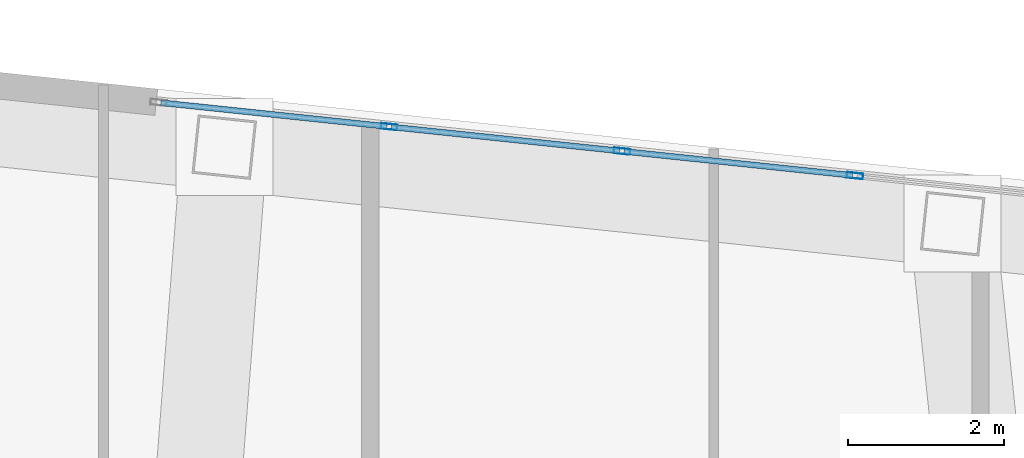
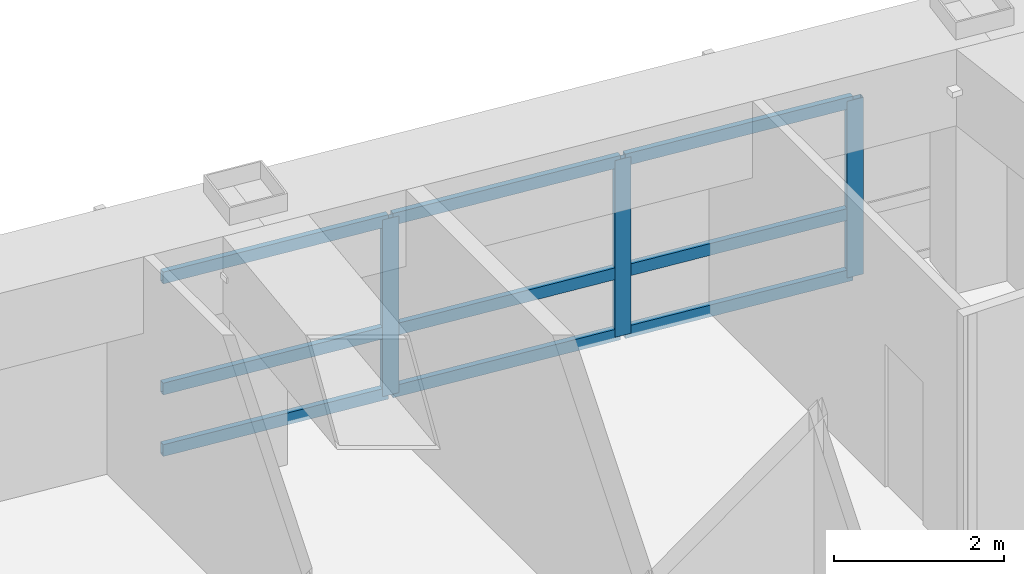
# One storey, part 5 of 16: 12 members, 1 element without a shape of its own.
"""IFC4 building model written with IfcOpenShell, lengths in metres."""

from ifc_helpers import new_model, si_unit, direction, frame, origin, origin_2d, place, context, subcontext, project, spatial, hollow_rectangle, extrude, material, layer, layer_set, material_profile, profile_set, type_object, element, aggregate, save


model = new_model("IFC4")

# Units and contexts
model_context = context("Model", 3, precision=1e-05, world=origin(), true_north=direction((0.0, 1.0)))
body_context = subcontext(model_context, "Body", "Model", "MODEL_VIEW")
ifc_project = project(units=[si_unit("LENGTHUNIT", "METRE"), si_unit("AREAUNIT", "SQUARE_METRE"), si_unit("VOLUMEUNIT", "CUBIC_METRE"), si_unit("PLANEANGLEUNIT", "RADIAN"), si_unit("MASSUNIT", "GRAM", prefix="KILO")], contexts=[model_context])

# Site, building, storey
site_placement = place(None, origin())
site = spatial("IfcSite", under=ifc_project, at=site_placement, CompositionType="ELEMENT")
building_placement = place(site_placement, origin())
building = spatial("IfcBuilding", under=site, at=building_placement, Name="Voryun Gate Residences", CompositionType="ELEMENT")
storey_placement = place(building_placement, frame((0.0, 0.0, 260.0)))
storey = spatial("IfcBuildingStorey", under=building, at=storey_placement, Name="L64", CompositionType="ELEMENT", Elevation=260.0)

# Curtain wall, members
ifc_material_1 = material(Name="Anodised aluminium", Category="aluminium")
ifc_layer = layer(ifc_material_1, 0.2099609375, Name="CW_SYS_SKYGARDEN_DARK_GLASS")
ifc_layer_set = layer_set([ifc_layer], Name="Anodised aluminium")
curtain_wall_type = type_object("IfcCurtainWallType", Name="CW_SYS_SKYGARDEN_DARK_GLASS", PredefinedType="NOTDEFINED", material=ifc_layer_set)
curtain_wall_placement = place(storey_placement, origin())
curtain_wall = element("IfcCurtainWall", 1, at=curtain_wall_placement, inside=storey, type_object=curtain_wall_type, Name="Curtain wall CW5-L64-SG-11", PredefinedType="NOTDEFINED")
ifc_material_2 = material(Name="Anodised aluminium", Category="aluminium")
ifc_material_profile_1 = material_profile(ifc_material_2, hollow_rectangle(XDim=0.074951171875, YDim=0.2099609375, WallThickness=0.0048828125, at=origin_2d()), Name="ALU-MULL-210x75x5")
ifc_profile_set_1 = profile_set([ifc_material_profile_1], Name="Anodised aluminium")
member_type_1 = type_object("IfcMemberType", Name="CW_MULL_SKY", PredefinedType="MULLION", material=ifc_profile_set_1)
member_1_placement = place(storey_placement, frame((-12.559326171875, 19.779541015625, 0.0), z_axis=(0.0, 0.0, 1.0), x_axis=(0.104532256285, 0.994521496699, 0.0)))
member_1 = element("IfcMember", 2, at=member_1_placement, type_object=member_type_1, Name="CW5 mullion 2", PredefinedType="MULLION", context=body_context, shape_type="SweptSolid", body=[
    extrude(hollow_rectangle(XDim=0.074951171875, YDim=0.2099609375, WallThickness=0.0048828125, at=origin_2d()), origin(), (0.0, 0.0, 1.0), 2.5400390625),
])
member_2_placement = place(storey_placement, frame((-9.58251953125, 19.466552734375, 0.0), z_axis=(0.0, 0.0, 1.0), x_axis=(0.104532256285, 0.994521496699, 0.0)))
member_2 = element("IfcMember", 3, at=member_2_placement, type_object=member_type_1, Name="CW5 mullion 3", PredefinedType="MULLION", context=body_context, shape_type="SweptSolid", body=[
    extrude(hollow_rectangle(XDim=0.074951171875, YDim=0.2099609375, WallThickness=0.0048828125, at=origin_2d()), origin(), (0.0, 0.0, 1.0), 2.5400390625),
])
member_3_placement = place(storey_placement, frame((-6.60595703125, 19.15380859375, 0.0), z_axis=(0.0, 0.0, 1.0), x_axis=(0.104532256285, 0.994521496699, 0.0)))
member_3 = element("IfcMember", 4, at=member_3_placement, type_object=member_type_1, Name="CW5 mullion 4", PredefinedType="MULLION", context=body_context, shape_type="SweptSolid", body=[
    extrude(hollow_rectangle(XDim=0.074951171875, YDim=0.2099609375, WallThickness=0.0048828125, at=origin_2d()), origin(), (0.0, 0.0, 1.0), 2.5400390625),
])
ifc_material_3 = material(Name="Anodised aluminium", Category="aluminium")
ifc_material_profile_2 = material_profile(ifc_material_3, hollow_rectangle(XDim=0.074951171875, YDim=0.169921875, WallThickness=0.0048828125, at=origin_2d()), Name="ALU-TRAN-170x75x5")
ifc_profile_set_2 = profile_set([ifc_material_profile_2], Name="Anodised aluminium")
member_type_2 = type_object("IfcMemberType", Name="CW_TRAN_SKY", PredefinedType="USERDEFINED", material=ifc_profile_set_2)
member_4_placement = place(storey_placement, frame((-15.476318359375, 20.0859375, 0.030029296875), z_axis=(0.994521569156, -0.104531566925, 0.0), x_axis=(0.104531566925, 0.994521569156, 0.0)))
member_4 = element("IfcMember", 5, at=member_4_placement, type_object=member_type_2, Name="CW5 transom 1.1", ObjectType="TRANSOM", PredefinedType="USERDEFINED", context=body_context, shape_type="SweptSolid", body=[
    extrude(hollow_rectangle(XDim=0.074951171875, YDim=0.169921875, WallThickness=0.0048828125, at=origin_2d()), origin(), (0.0, 0.0, 1.0), 2.903076171875),
])
member_5_placement = place(storey_placement, frame((-15.476318359375, 20.0859375, 0.914306640625), z_axis=(0.994521569156, -0.104531566925, 0.0), x_axis=(0.104531566925, 0.994521569156, 0.0)))
member_5 = element("IfcMember", 6, at=member_5_placement, type_object=member_type_2, Name="CW5 transom 1.2", ObjectType="TRANSOM", PredefinedType="USERDEFINED", context=body_context, shape_type="SweptSolid", body=[
    extrude(hollow_rectangle(XDim=0.074951171875, YDim=0.169921875, WallThickness=0.0048828125, at=origin_2d()), origin(), (0.0, 0.0, 1.0), 2.903076171875),
])
member_6_placement = place(storey_placement, frame((-15.476318359375, 20.0859375, 2.510009765625), z_axis=(0.994521569156, -0.104531566925, 0.0), x_axis=(0.104531566925, 0.994521569156, 0.0)))
member_6 = element("IfcMember", 7, at=member_6_placement, type_object=member_type_2, Name="CW5 transom 1.3", ObjectType="TRANSOM", PredefinedType="USERDEFINED", context=body_context, shape_type="SweptSolid", body=[
    extrude(hollow_rectangle(XDim=0.074951171875, YDim=0.169921875, WallThickness=0.0048828125, at=origin_2d()), origin(), (0.0, 0.0, 1.0), 2.903076171875),
])
member_7_placement = place(storey_placement, frame((-12.529296875, 19.7763671875, 0.030029296875), z_axis=(0.994519128412, -0.104554785744, 0.0), x_axis=(0.104554785744, 0.994519128412, 0.0)))
member_7 = element("IfcMember", 8, at=member_7_placement, type_object=member_type_2, Name="CW5 transom 2.1", ObjectType="TRANSOM", PredefinedType="USERDEFINED", context=body_context, shape_type="SweptSolid", body=[
    extrude(hollow_rectangle(XDim=0.074951171875, YDim=0.169921875, WallThickness=0.0048828125, at=origin_2d()), origin(), (0.0, 0.0, 1.0), 2.932861328125),
])
member_8_placement = place(storey_placement, frame((-12.529296875, 19.7763671875, 0.914306640625), z_axis=(0.994519128412, -0.104554785744, 0.0), x_axis=(0.104554785744, 0.994519128412, 0.0)))
member_8 = element("IfcMember", 9, at=member_8_placement, type_object=member_type_2, Name="CW5 transom 2.2", ObjectType="TRANSOM", PredefinedType="USERDEFINED", context=body_context, shape_type="SweptSolid", body=[
    extrude(hollow_rectangle(XDim=0.074951171875, YDim=0.169921875, WallThickness=0.0048828125, at=origin_2d()), origin(), (0.0, 0.0, 1.0), 2.932861328125),
])
member_9_placement = place(storey_placement, frame((-12.529296875, 19.7763671875, 2.510009765625), z_axis=(0.994519128412, -0.104554785744, 0.0), x_axis=(0.104554785744, 0.994519128412, 0.0)))
member_9 = element("IfcMember", 10, at=member_9_placement, type_object=member_type_2, Name="CW5 transom 2.3", ObjectType="TRANSOM", PredefinedType="USERDEFINED", context=body_context, shape_type="SweptSolid", body=[
    extrude(hollow_rectangle(XDim=0.074951171875, YDim=0.169921875, WallThickness=0.0048828125, at=origin_2d()), origin(), (0.0, 0.0, 1.0), 2.932861328125),
])
member_10_placement = place(storey_placement, frame((-9.552734375, 19.46337890625, 0.030029296875), z_axis=(0.994520038301, -0.104546130575, 0.0), x_axis=(0.104546130575, 0.994520038301, 0.0)))
member_10 = element("IfcMember", 11, at=member_10_placement, type_object=member_type_2, Name="CW5 transom 3.1", ObjectType="TRANSOM", PredefinedType="USERDEFINED", context=body_context, shape_type="SweptSolid", body=[
    extrude(hollow_rectangle(XDim=0.074951171875, YDim=0.169921875, WallThickness=0.0048828125, at=origin_2d()), origin(), (0.0, 0.0, 1.0), 2.93310546875),
])
member_11_placement = place(storey_placement, frame((-9.552734375, 19.46337890625, 0.914306640625), z_axis=(0.994520038301, -0.104546130575, 0.0), x_axis=(0.104546130575, 0.994520038301, 0.0)))
member_11 = element("IfcMember", 12, at=member_11_placement, type_object=member_type_2, Name="CW5 transom 3.2", ObjectType="TRANSOM", PredefinedType="USERDEFINED", context=body_context, shape_type="SweptSolid", body=[
    extrude(hollow_rectangle(XDim=0.074951171875, YDim=0.169921875, WallThickness=0.0048828125, at=origin_2d()), origin(), (0.0, 0.0, 1.0), 2.93310546875),
])
member_12_placement = place(storey_placement, frame((-9.552734375, 19.46337890625, 2.510009765625), z_axis=(0.994520038301, -0.104546130575, 0.0), x_axis=(0.104546130575, 0.994520038301, 0.0)))
member_12 = element("IfcMember", 13, at=member_12_placement, type_object=member_type_2, Name="CW5 transom 3.3", ObjectType="TRANSOM", PredefinedType="USERDEFINED", context=body_context, shape_type="SweptSolid", body=[
    extrude(hollow_rectangle(XDim=0.074951171875, YDim=0.169921875, WallThickness=0.0048828125, at=origin_2d()), origin(), (0.0, 0.0, 1.0), 2.93310546875),
])
aggregate(curtain_wall, [member_1, member_2, member_3, member_4, member_5, member_6, member_7, member_8, member_9, member_10, member_11, member_12])

save(model, "model.ifc")
